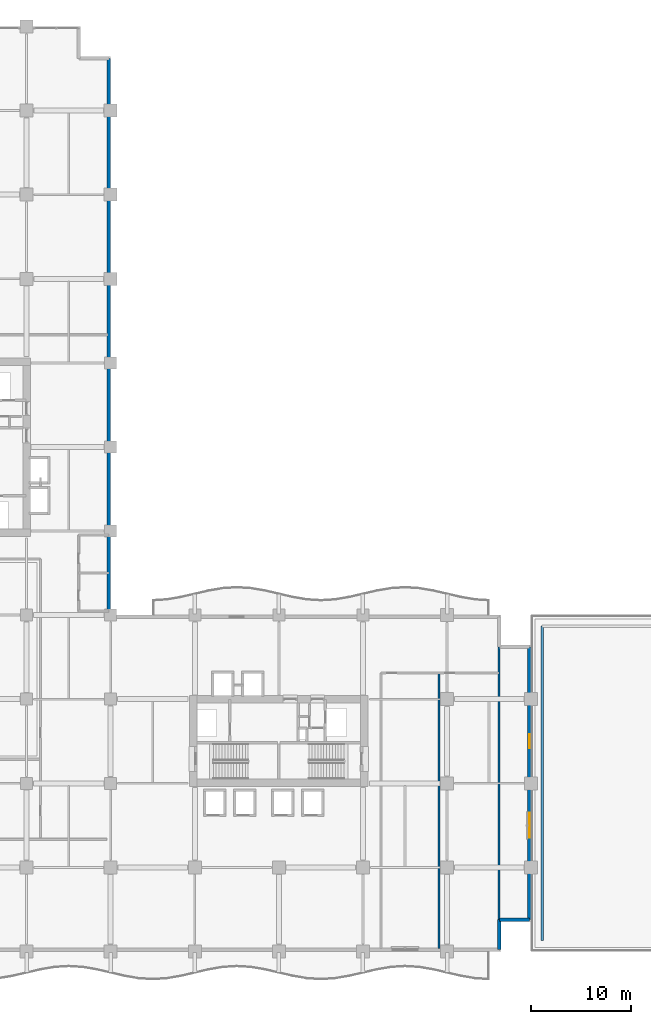
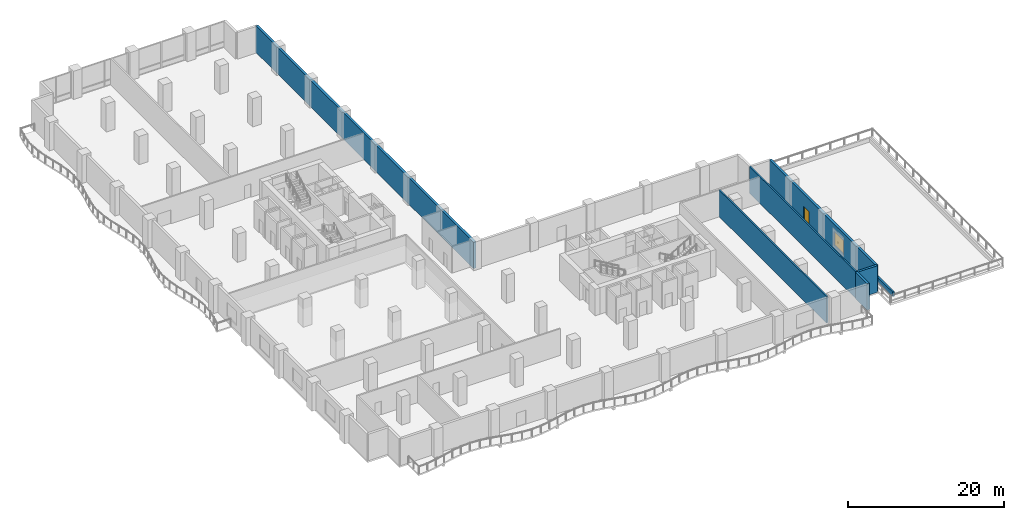
# One storey, part 12 of 21: 7 walls, 1 door, 1 window, 2 openings.
"""IFC4 building model written with IfcOpenShell, lengths in metres."""

from ifc_helpers import new_model, si_unit, direction, frame, frame_2d, origin, place, context, subcontext, project, spatial, rectangle, extrude, material, layer, layer_set, type_object, element, fill, save


model = new_model("IFC4")

# Units and contexts
model_context = context("Model", 3, precision=1e-05, world=origin(), true_north=direction((0.0, 1.0)))
body_context = subcontext(model_context, "Body", "Model", "MODEL_VIEW")
ifc_project = project(units=[si_unit("LENGTHUNIT", "METRE"), si_unit("AREAUNIT", "SQUARE_METRE"), si_unit("VOLUMEUNIT", "CUBIC_METRE"), si_unit("PLANEANGLEUNIT", "RADIAN"), si_unit("MASSUNIT", "GRAM", prefix="KILO")], contexts=[model_context])

# Site, building, storey
site_placement = place(None, origin())
site = spatial("IfcSite", under=ifc_project, at=site_placement, CompositionType="ELEMENT")
building_placement = place(site_placement, origin())
building = spatial("IfcBuilding", under=site, at=building_placement, Name="Koriwani Terraces Tower", CompositionType="ELEMENT")
storey_placement = place(building_placement, frame((0.0, 0.0, 85.199951171875)))
storey = spatial("IfcBuildingStorey", under=building, at=storey_placement, Name="L20", CompositionType="ELEMENT", Elevation=85.199951171875)

# Walls
ifc_material_1 = material(Name="Autoclaved Cellular Concrete Blockwork", Category="masonry")
ifc_layer_1 = layer(ifc_material_1, 0.219970703125, Name="Autoclaved Cellular Concrete Blockwork")
ifc_layer_set_1 = layer_set([ifc_layer_1], Name="Autoclaved Cellular Concrete Blockwork")
wall_type_1 = type_object("IfcWallType", Name="WALL_DEMISING_220", PredefinedType="PARTITIONING", material=ifc_layer_set_1)
wall_1_placement = place(storey_placement, frame((72.39990234375, 3.0, 0.0), z_axis=(0.0, 0.0, 1.0), x_axis=(0.0, 1.0, 0.0)))
element("IfcWall", 1, at=wall_1_placement, inside=storey, type_object=wall_type_1, Name="L20 Interior Wall WSKY-EE-L20", PredefinedType="PARTITIONING", context=body_context, shape_type="SweptSolid", body=[
    extrude(rectangle(XDim=27.39990234375, YDim=0.219970703125, at=frame_2d((13.699951171875, 0.0))), origin(), (0.0, 0.0, 1.0), 4.150146484375),
])
wall_2_placement = place(storey_placement, frame((66.39990234375, 0.300048828125, 0.0), z_axis=(0.0, 0.0, 1.0), x_axis=(0.0, 1.0, 0.0)))
element("IfcWall", 2, at=wall_2_placement, inside=storey, type_object=wall_type_1, Name="L20 Interior Wall WSKY-EDIV-L20", PredefinedType="PARTITIONING", context=body_context, shape_type="SweptSolid", body=[
    extrude(rectangle(XDim=27.5, YDim=0.219970703125, at=frame_2d((13.75, 0.0))), origin(), (0.0, 0.0, 1.0), 4.150146484375),
])
ifc_material_2 = material(Name="Concrete C50/60", Category="concrete")
ifc_layer_2 = layer(ifc_material_2, 0.35009765625, Name="Concrete C50/60")
ifc_layer_set_2 = layer_set([ifc_layer_2], Name="Concrete C50/60")
wall_type_2 = type_object("IfcWallType", Name="WALL_EXT_BRUTALIST_350", PredefinedType="STANDARD", material=ifc_layer_set_2)
wall_3_placement = place(storey_placement, frame((33.425048828125, 89.22509765625, 0.0), z_axis=(0.0, 0.0, 1.0), x_axis=(0.0, -1.0, 0.0)))
element("IfcWall", 3, at=wall_3_placement, inside=storey, type_object=wall_type_2, Name="L20 Fair-Faced Brutalist Exterior Wall (NW_IN)", PredefinedType="STANDARD", context=body_context, shape_type="SweptSolid", body=[
    extrude(rectangle(XDim=55.800048828125, YDim=0.35009765625, at=frame_2d((27.89990234375, 0.0))), origin(), (0.0, 0.0, 1.0), 4.150146484375),
])

# Wall, openings, door, window
wall_4_placement = place(storey_placement, frame((75.425048828125, 30.425048828125, 0.0), z_axis=(0.0, 0.0, 1.0), x_axis=(0.0, -1.0, 0.0)))
wall_4 = element("IfcWall", 4, at=wall_4_placement, inside=storey, type_object=wall_type_2, Name="L20 Fair-Faced Brutalist Exterior Wall (E_TIP)", PredefinedType="STANDARD", context=body_context, shape_type="SweptSolid", body=[
    extrude(rectangle(XDim=27.25, YDim=0.35009765625, at=frame_2d((13.625, 0.0))), origin(), (0.0, 0.0, 1.0), 4.150146484375),
])
opening_1_placement = place(wall_4_placement, frame((8.72509765625, 0.0, 0.0)))
opening_1 = element("IfcOpeningElement", 5, at=opening_1_placement, cuts=wall_4, Name="Opening D-09", PredefinedType="OPENING", context=body_context, shape_type="SweptSolid", body=[
    extrude(rectangle(XDim=1.39990234375, YDim=2.199951171875, at=frame_2d((0.699951171875, 1.10009765625))), frame((0.0, 0.18505859375, 0.0), z_axis=(0.0, -1.0, 0.0), x_axis=(1.0, 0.0, 0.0)), (0.0, 0.0, 1.0), 0.3701171875),
])
opening_2_placement = place(wall_4_placement, frame((16.574951171875, 0.0, 0.85009765625)))
opening_2 = element("IfcOpeningElement", 6, at=opening_2_placement, cuts=wall_4, Name="Opening W-07", PredefinedType="OPENING", context=body_context, shape_type="SweptSolid", body=[
    extrude(rectangle(XDim=2.5, YDim=2.199951171875, at=frame_2d((1.25, 1.10009765625))), frame((0.0, 0.18505859375, 0.0), z_axis=(0.0, -1.0, 0.0), x_axis=(1.0, 0.0, 0.0)), (0.0, 0.0, 1.0), 0.3701171875),
])
ifc_material_3 = material(Name="Anodised Bronze Aluminium", Category="aluminium")
door_type = type_object("IfcDoorType", Name="DOOR_BALCONY_GLAZED_1400X2200", OperationType="NOTDEFINED", PredefinedType="DOOR", material=ifc_material_3)
door_placement = place(opening_1_placement, origin())
door = element("IfcDoor", 7, at=door_placement, inside=storey, type_object=door_type, Name="L20 East Sky-Garden Terrace Door", OperationType="SINGLE_SWING_LEFT", OverallHeight=2.199951171875, OverallWidth=1.39990234375, PredefinedType="DOOR", context=body_context, shape_type="SweptSolid", body=[
    extrude(rectangle(XDim=1.39990234375, YDim=2.199951171875, at=frame_2d((0.699951171875, 1.10009765625))), frame((0.0, 0.02490234375, 0.0), z_axis=(0.0, -1.0, 0.0), x_axis=(1.0, 0.0, 0.0)), (0.0, 0.0, 1.0), 0.050048828125),
])
fill(opening_1, door)
ifc_material_4 = material(Name="Tempered Laminated Low-E Glass", Category="glass")
window_type = type_object("IfcWindowType", Name="WIN_SKY_LOUNGE_2500X2200", PartitioningType="SINGLE_PANEL", PredefinedType="WINDOW", material=ifc_material_4)
window_placement = place(opening_2_placement, origin())
window = element("IfcWindow", 8, at=window_placement, inside=storey, type_object=window_type, Name="L20 Exterior Window (E_TIP-3)", OverallHeight=2.199951171875, OverallWidth=2.5, PartitioningType="SINGLE_PANEL", PredefinedType="WINDOW", context=body_context, shape_type="SweptSolid", body=[
    extrude(rectangle(XDim=2.5, YDim=2.199951171875, at=frame_2d((1.25, 1.10009765625))), frame((0.0, 0.030029296875, 0.0), z_axis=(0.0, -1.0, 0.0), x_axis=(1.0, 0.0, 0.0)), (0.0, 0.0, 1.0), 0.06005859375),
])
fill(opening_2, window)

# Walls
for number, where, z_axis, x_axis, name in (
    (9, (75.425048828125, 3.175048828125, 0.0), (0.0, 0.0, 1.0), (-1.0, 0.0, 0.0), "L20 Fair-Faced Brutalist Exterior Wall (N13)"),
    (10, (72.425048828125, 3.175048828125, 0.0), (0.0, 0.0, 1.0), (0.0, -1.0, 0.0), "L20 Fair-Faced Brutalist Exterior Wall (N14)"),
):
    element("IfcWall", number, at=place(storey_placement, frame(where, z_axis=z_axis, x_axis=x_axis)), inside=storey, type_object=wall_type_2, Name=name, PredefinedType="STANDARD", context=body_context, shape_type="SweptSolid", body=[
        extrude(rectangle(XDim=3.0, YDim=0.35009765625, at=frame_2d((1.5, 0.0))), origin(), (0.0, 0.0, 1.0), 4.150146484375),
    ])
ifc_material_5 = material(Name="Concrete C40/50", Category="concrete")
ifc_layer_3 = layer(ifc_material_5, 0.239990234375, Name="Concrete C40/50")
ifc_layer_set_3 = layer_set([ifc_layer_3], Name="Concrete C40/50")
wall_type_3 = type_object("IfcWallType", Name="WALL_TERRACE_PLANTER_240", PredefinedType="USERDEFINED", material=ifc_layer_set_3)
wall_5_placement = place(storey_placement, frame((76.699951171875, 1.10009765625, 0.0), z_axis=(0.0, 0.0, 1.0), x_axis=(0.0, 1.0, 0.0)))
element("IfcWall", 11, at=wall_5_placement, inside=storey, type_object=wall_type_3, Name="L20 Sky-Garden Planted Terrace Planter Wall 1", ObjectType="PLANTER", PredefinedType="USERDEFINED", context=body_context, shape_type="SweptSolid", body=[
    extrude(rectangle(XDim=31.39990234375, YDim=0.239990234375, at=frame_2d((15.699951171875, 0.0))), origin(), (0.0, 0.0, 1.0), 0.75),
])

save(model, "model.ifc")
